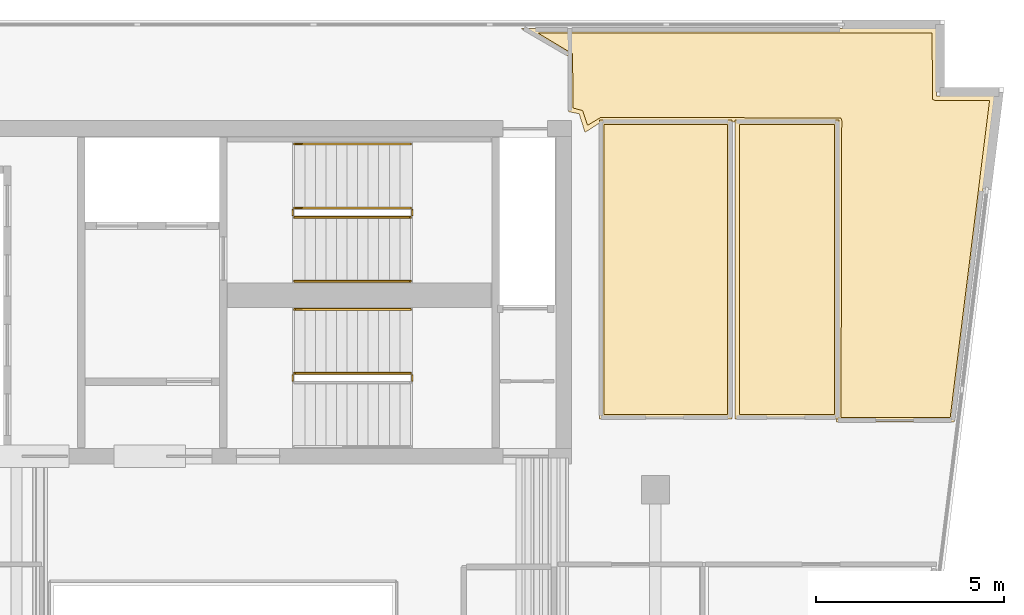
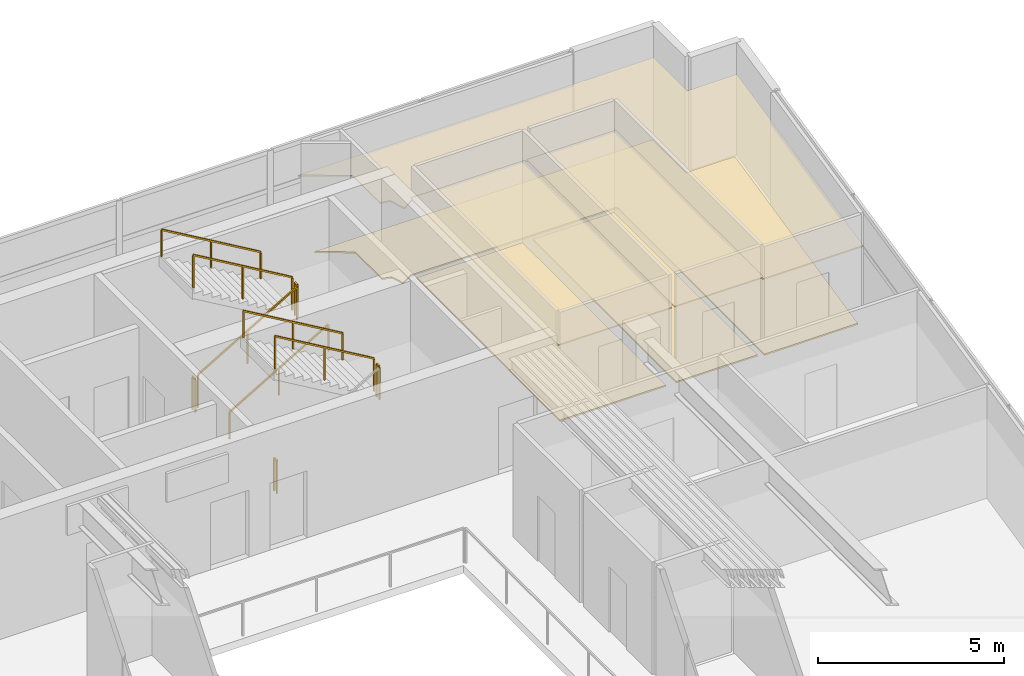
# One storey, part 8 of 8: 10 railings, 6 coverings.
"""IFC4 building model written with IfcOpenShell, lengths in metres."""

from ifc_helpers import new_model, si_unit, direction, frame, origin, origin_2d, place, context, subcontext, project, spatial, polyline, rectangle, outline, extrude, material, layer, layer_set, type_object, element, save


model = new_model("IFC4")

# Units and contexts
model_context = context("Model", 3, precision=1e-05, world=origin(), true_north=direction((0.0, 1.0)))
body_context = subcontext(model_context, "Body", "Model", "MODEL_VIEW")
ifc_project = project(units=[si_unit("LENGTHUNIT", "METRE"), si_unit("AREAUNIT", "SQUARE_METRE"), si_unit("VOLUMEUNIT", "CUBIC_METRE"), si_unit("PLANEANGLEUNIT", "RADIAN"), si_unit("MASSUNIT", "GRAM", prefix="KILO")], contexts=[model_context])

# Site, building, storey
site_placement = place(None, origin())
site = spatial("IfcSite", under=ifc_project, at=site_placement, CompositionType="ELEMENT")
building_placement = place(site_placement, origin())
building = spatial("IfcBuilding", under=site, at=building_placement, Name="Caeloran Harvest Quay", CompositionType="ELEMENT")
storey_placement = place(building_placement, frame((0.0, 0.0, 272.5)))
storey = spatial("IfcBuildingStorey", under=building, at=storey_placement, Name="L65", CompositionType="ELEMENT", Elevation=272.5)

# Coverings
ifc_material_1 = material(Name="Perforated Mineral-Fibre Acoustic Ceiling Tile", Category="ceiling")
ifc_layer_1 = layer(ifc_material_1, 0.0400390625, Name="Perforated Mineral-Fibre Acoustic Ceiling Tile")
ifc_layer_set_1 = layer_set([ifc_layer_1], Name="Perforated Mineral-Fibre Acoustic Ceiling Tile")
covering_type_1 = type_object("IfcCoveringType", Name="COV-CEILING-ACOUSTIC", PredefinedType="CEILING", material=ifc_layer_set_1)
covering_1_placement = place(storey_placement, frame((0.0, 0.0, 2.60009765625)))
element("IfcCovering", 1, at=covering_1_placement, inside=storey, type_object=covering_type_1, Name="L65 Bioinformatics Briefing Lounge Acoustic Ceiling", PredefinedType="CEILING", context=body_context, shape_type="SweptSolid", body=[
    extrude(outline(polyline([(27.5400390625, 40.840087890625), (27.5400390625, 32.8798828125), (24.010009765625, 32.8798828125), (24.010009765625, 40.840087890625), (27.5400390625, 40.840087890625)])), origin(), (0.0, 0.0, 1.0), 0.039794921875),
])
covering_2_placement = place(storey_placement, frame((0.0, 0.0, 2.60009765625)))
element("IfcCovering", 2, at=covering_2_placement, inside=storey, type_object=covering_type_1, Name="L65 Seed Imaging Laboratory Acoustic Ceiling", PredefinedType="CEILING", context=body_context, shape_type="SweptSolid", body=[
    extrude(outline(polyline([(30.389892578125, 40.840087890625), (30.389892578125, 32.8798828125), (27.6201171875, 32.8798828125), (27.6201171875, 40.840087890625), (30.389892578125, 40.840087890625)])), origin(), (0.0, 0.0, 1.0), 0.039794921875),
])
covering_3_placement = place(storey_placement, frame((0.0, 0.0, 2.60009765625)))
element("IfcCovering", 3, at=covering_3_placement, inside=storey, type_object=covering_type_1, Name="International Policy Conference Room 9 Acoustic Ceiling", PredefinedType="CEILING", context=body_context, shape_type="SweptSolid", body=[
    extrude(outline(polyline([(23.190185546875, 41.06005859375), (23.1865234375, 42.541015625), (21.92041015625, 43.280029296875), (32.97998046875, 43.280029296875), (32.97998046875, 41.47998046875), (34.527587890625, 41.47998046875), (33.451416015625, 32.81005859375), (30.31982421875, 32.81005859375), (30.33984375, 40.7900390625), (24.061767578125, 40.7900390625), (23.62841796875, 40.51025390625), (23.47216796875, 41.00439453125), (23.190185546875, 41.06005859375)])), origin(), (0.0, 0.0, 1.0), 0.039794921875),
])
ifc_material_2 = material(Name="Calcium-Sulphate Raised Access Floor and Terrazzo Finish", Category="flooring")
ifc_layer_2 = layer(ifc_material_2, 0.050048828125, Name="Calcium-Sulphate Raised Access Floor and Terrazzo Finish")
ifc_layer_set_2 = layer_set([ifc_layer_2], Name="Calcium-Sulphate Raised Access Floor and Terrazzo Finish")
covering_type_2 = type_object("IfcCoveringType", Name="COV-FLOOR-RAISED", PredefinedType="FLOORING", material=ifc_layer_set_2)
covering_4_placement = place(storey_placement, origin())
element("IfcCovering", 4, at=covering_4_placement, inside=storey, type_object=covering_type_2, Name="L65 Bioinformatics Briefing Lounge Raised Finish Flooring", PredefinedType="FLOORING", context=body_context, shape_type="SweptSolid", body=[
    extrude(outline(polyline([(27.419921875, 40.719970703125), (27.419921875, 33.0), (24.1298828125, 33.0), (24.1298828125, 40.719970703125), (27.419921875, 40.719970703125)])), origin(), (0.0, 0.0, 1.0), 0.050048828125),
])
covering_5_placement = place(storey_placement, origin())
element("IfcCovering", 5, at=covering_5_placement, inside=storey, type_object=covering_type_2, Name="L65 Seed Imaging Laboratory Raised Finish Flooring", PredefinedType="FLOORING", context=body_context, shape_type="SweptSolid", body=[
    extrude(outline(polyline([(30.27001953125, 40.719970703125), (30.27001953125, 33.0), (27.739990234375, 33.0), (27.739990234375, 40.719970703125), (30.27001953125, 40.719970703125)])), origin(), (0.0, 0.0, 1.0), 0.050048828125),
])
covering_6_placement = place(storey_placement, origin())
element("IfcCovering", 6, at=covering_6_placement, inside=storey, type_object=covering_type_2, Name="International Policy Conference Room 9 Raised Finish Flooring", PredefinedType="FLOORING", context=body_context, shape_type="SweptSolid", body=[
    extrude(outline(polyline([(23.309814453125, 41.15869140625), (23.297607421875, 42.6005859375), (22.364013671875, 43.159912109375), (32.860107421875, 43.159912109375), (32.878173828125, 41.38916015625), (32.93994140625, 41.360107421875), (34.391845703125, 41.360107421875), (33.34521484375, 32.929931640625), (30.440185546875, 32.929931640625), (30.4599609375, 40.829833984375), (30.430908203125, 40.891845703125), (24.050048828125, 40.909912109375), (23.6953125, 40.6962890625), (23.564697265625, 41.09033203125), (23.309814453125, 41.15869140625)])), origin(), (0.0, 0.0, 1.0), 0.050048828125),
])

# Railings
ifc_material_3 = material(Name="Painted Steel Baluster and Top-Rail Stair Guard", Category="steel")
ifc_layer_3 = layer(ifc_material_3, 0.050048828125, Name="Painted Steel Baluster and Top-Rail Stair Guard")
ifc_layer_set_3 = layer_set([ifc_layer_3], Name="Painted Steel Baluster and Top-Rail Stair Guard")
railing_type_1 = type_object("IfcRailingType", Name="STAIR-GUARD-1100", PredefinedType="GUARDRAIL", material=ifc_layer_set_3)
railing_1_placement = place(storey_placement, frame((15.89990234375, 38.25, 0.16455078125)))
element("IfcRailing", 7, at=railing_1_placement, inside=storey, type_object=railing_type_1, Name="L65 ST-C1 stair guard 1", PredefinedType="GUARDRAIL", context=body_context, shape_type="SweptSolid", body=[
    extrude(rectangle(XDim=0.048095703125, YDim=0.048095703125, at=origin_2d()), frame((0.0, 0.0, 1.076171875), z_axis=(0.862088758681, 0.0, 0.506757310905), x_axis=(0.0, 1.0, 0.0)), (0.0, 0.0, 1.0), 3.57275390625),
    extrude(rectangle(XDim=0.0419921875, YDim=0.0419921875, at=origin_2d()), origin(), (0.0, 0.0, 1.0), 1.052001953125),
    extrude(rectangle(XDim=0.0419921875, YDim=0.0419921875, at=origin_2d()), frame((1.5400390625, 0.0, 0.9052734375)), (0.0, 0.0, 1.0), 1.052001953125),
    extrude(rectangle(XDim=0.0419921875, YDim=0.0419921875, at=origin_2d()), frame((3.080078125, 0.0, 1.810546875)), (0.0, 0.0, 1.0), 1.052001953125),
])
railing_2_placement = place(storey_placement, frame((19.030029296875, 38.300048828125, 1.97509765625)))
element("IfcRailing", 8, at=railing_2_placement, inside=storey, type_object=railing_type_1, Name="L65 ST-C1 stair guard 2", PredefinedType="GUARDRAIL", context=body_context, shape_type="SweptSolid", body=[
    extrude(rectangle(XDim=0.048095703125, YDim=0.048095703125, at=origin_2d()), frame((0.0, 0.0, 1.076171875), z_axis=(0.0, 1.0, 0.0), x_axis=(-1.0, 0.0, 0.0)), (0.0, 0.0, 1.0), 0.14990234375),
    extrude(rectangle(XDim=0.0419921875, YDim=0.0419921875, at=origin_2d()), origin(), (0.0, 0.0, 1.0), 1.052001953125),
    extrude(rectangle(XDim=0.0419921875, YDim=0.0419921875, at=origin_2d()), frame((0.0, 0.14990234375, 0.0)), (0.0, 0.0, 1.0), 1.052001953125),
])
railing_3_placement = place(storey_placement, frame((18.97998046875, 38.5, 2.1396484375)))
element("IfcRailing", 9, at=railing_3_placement, inside=storey, type_object=railing_type_1, Name="L65 ST-C1 stair guard 3", PredefinedType="GUARDRAIL", context=body_context, shape_type="SweptSolid", body=[
    extrude(rectangle(XDim=0.048095703125, YDim=0.048095703125, at=origin_2d()), frame((0.0, 0.0, 1.076171875), z_axis=(-0.862118610829, 0.0, 0.506706523406), x_axis=(0.0, -1.0, 0.0)), (0.0, 0.0, 1.0), 3.57275390625),
    extrude(rectangle(XDim=0.0419921875, YDim=0.0419921875, at=origin_2d()), origin(), (0.0, 0.0, 1.0), 1.052001953125),
    extrude(rectangle(XDim=0.0419921875, YDim=0.0419921875, at=origin_2d()), frame((-1.5400390625, 0.0, 0.9052734375)), (0.0, 0.0, 1.0), 1.052001953125),
    extrude(rectangle(XDim=0.0419921875, YDim=0.0419921875, at=origin_2d()), frame((-3.080078125, 0.0, 1.810302734375)), (0.0, 0.0, 1.0), 1.052001953125),
])
railing_4_placement = place(storey_placement, frame((15.85009765625, 38.300048828125, 0.0)))
element("IfcRailing", 10, at=railing_4_placement, inside=storey, type_object=railing_type_1, Name="L65 ST-C1 stair guard 4", PredefinedType="GUARDRAIL", context=body_context, shape_type="SweptSolid", body=[
    extrude(rectangle(XDim=0.048095703125, YDim=0.048095703125, at=origin_2d()), frame((0.0, 0.0, 1.076171875), z_axis=(0.0, 1.0, 0.0), x_axis=(-1.0, 0.0, 0.0)), (0.0, 0.0, 1.0), 0.14990234375),
    extrude(rectangle(XDim=0.0419921875, YDim=0.0419921875, at=origin_2d()), origin(), (0.0, 0.0, 1.0), 1.052001953125),
    extrude(rectangle(XDim=0.0419921875, YDim=0.0419921875, at=origin_2d()), frame((0.0, 0.14990234375, 0.0)), (0.0, 0.0, 1.0), 1.052001953125),
])
railing_5_placement = place(storey_placement, frame((19.030029296875, 33.89990234375, 1.97509765625)))
element("IfcRailing", 11, at=railing_5_placement, inside=storey, type_object=railing_type_1, Name="L65 ST-C2 stair guard 2", PredefinedType="GUARDRAIL", context=body_context, shape_type="SweptSolid", body=[
    extrude(rectangle(XDim=0.048095703125, YDim=0.048095703125, at=origin_2d()), frame((0.0, 0.0, 1.076171875), z_axis=(0.0, 1.0, 0.0), x_axis=(-1.0, 0.0, 0.0)), (0.0, 0.0, 1.0), 0.150146484375),
    extrude(rectangle(XDim=0.0419921875, YDim=0.0419921875, at=origin_2d()), origin(), (0.0, 0.0, 1.0), 1.052001953125),
    extrude(rectangle(XDim=0.0419921875, YDim=0.0419921875, at=origin_2d()), frame((0.0, 0.150146484375, 0.0)), (0.0, 0.0, 1.0), 1.052001953125),
])
railing_6_placement = place(storey_placement, frame((18.97998046875, 34.10009765625, 2.1396484375)))
element("IfcRailing", 12, at=railing_6_placement, inside=storey, type_object=railing_type_1, Name="L65 ST-C2 stair guard 3", PredefinedType="GUARDRAIL", context=body_context, shape_type="SweptSolid", body=[
    extrude(rectangle(XDim=0.048095703125, YDim=0.048095703125, at=origin_2d()), frame((0.0, 0.0, 1.076171875), z_axis=(-0.862118610829, 0.0, 0.506706523406), x_axis=(0.0, -1.0, 0.0)), (0.0, 0.0, 1.0), 3.57275390625),
    extrude(rectangle(XDim=0.0419921875, YDim=0.0419921875, at=origin_2d()), origin(), (0.0, 0.0, 1.0), 1.052001953125),
    extrude(rectangle(XDim=0.0419921875, YDim=0.0419921875, at=origin_2d()), frame((-1.5400390625, 0.0, 0.9052734375)), (0.0, 0.0, 1.0), 1.052001953125),
    extrude(rectangle(XDim=0.0419921875, YDim=0.0419921875, at=origin_2d()), frame((-3.080078125, 0.0, 1.810302734375)), (0.0, 0.0, 1.0), 1.052001953125),
])
railing_7_placement = place(storey_placement, frame((15.85009765625, 33.89990234375, 0.0)))
element("IfcRailing", 13, at=railing_7_placement, inside=storey, type_object=railing_type_1, Name="L65 ST-C2 stair guard 4", PredefinedType="GUARDRAIL", context=body_context, shape_type="SweptSolid", body=[
    extrude(rectangle(XDim=0.048095703125, YDim=0.048095703125, at=origin_2d()), frame((0.0, 0.0, 1.076171875), z_axis=(0.0, 1.0, 0.0), x_axis=(-1.0, 0.0, 0.0)), (0.0, 0.0, 1.0), 0.150146484375),
    extrude(rectangle(XDim=0.0419921875, YDim=0.0419921875, at=origin_2d()), origin(), (0.0, 0.0, 1.0), 1.052001953125),
    extrude(rectangle(XDim=0.0419921875, YDim=0.0419921875, at=origin_2d()), frame((0.0, 0.150146484375, 0.0)), (0.0, 0.0, 1.0), 1.052001953125),
])
ifc_material_4 = material(Name="Brushed Stainless Steel Grade 304", Category="steel")
ifc_layer_4 = layer(ifc_material_4, 0.050048828125, Name="Brushed Stainless Steel Grade 304")
ifc_layer_set_4 = layer_set([ifc_layer_4], Name="Brushed Stainless Steel Grade 304")
railing_type_2 = type_object("IfcRailingType", Name="STAIR-HANDRAIL-900", PredefinedType="HANDRAIL", material=ifc_layer_set_4)
railing_8_placement = place(storey_placement, frame((15.89990234375, 36.550048828125, 0.16455078125)))
element("IfcRailing", 14, at=railing_8_placement, inside=storey, type_object=railing_type_2, Name="L65 ST-C1 stair handrail 1", PredefinedType="HANDRAIL", context=body_context, shape_type="SweptSolid", body=[
    extrude(rectangle(XDim=0.048095703125, YDim=0.048095703125, at=origin_2d()), frame((0.0, 0.0, 0.8759765625), z_axis=(0.862088758681, 0.0, 0.506757310905), x_axis=(0.0, 1.0, 0.0)), (0.0, 0.0, 1.0), 3.57275390625),
    extrude(rectangle(XDim=0.0419921875, YDim=0.0419921875, at=origin_2d()), origin(), (0.0, 0.0, 1.0), 0.851806640625),
    extrude(rectangle(XDim=0.0419921875, YDim=0.0419921875, at=origin_2d()), frame((1.5400390625, 0.0, 0.9052734375)), (0.0, 0.0, 1.0), 0.851806640625),
    extrude(rectangle(XDim=0.0419921875, YDim=0.0419921875, at=origin_2d()), frame((3.080078125, 0.0, 1.810546875)), (0.0, 0.0, 1.0), 0.851806640625),
])
for number, where, name in (
    (15, (18.97998046875, 40.199951171875, 2.1396484375), "L65 ST-C1 stair handrail 2"),
    (16, (18.97998046875, 35.800048828125, 2.1396484375), "L65 ST-C2 stair handrail 2"),
):
    element("IfcRailing", number, at=place(storey_placement, frame(where)), inside=storey, type_object=railing_type_2, Name=name, PredefinedType="HANDRAIL", context=body_context, shape_type="SweptSolid", body=[
        extrude(rectangle(XDim=0.048095703125, YDim=0.048095703125, at=origin_2d()), frame((0.0, 0.0, 0.8759765625), z_axis=(-0.862118610829, 0.0, 0.506706523406), x_axis=(0.0, -1.0, 0.0)), (0.0, 0.0, 1.0), 3.57275390625),
        extrude(rectangle(XDim=0.0419921875, YDim=0.0419921875, at=origin_2d()), origin(), (0.0, 0.0, 1.0), 0.851806640625),
        extrude(rectangle(XDim=0.0419921875, YDim=0.0419921875, at=origin_2d()), frame((-1.5400390625, 0.0, 0.9052734375)), (0.0, 0.0, 1.0), 0.851806640625),
        extrude(rectangle(XDim=0.0419921875, YDim=0.0419921875, at=origin_2d()), frame((-3.080078125, 0.0, 1.810302734375)), (0.0, 0.0, 1.0), 0.851806640625),
    ])

save(model, "model.ifc")
